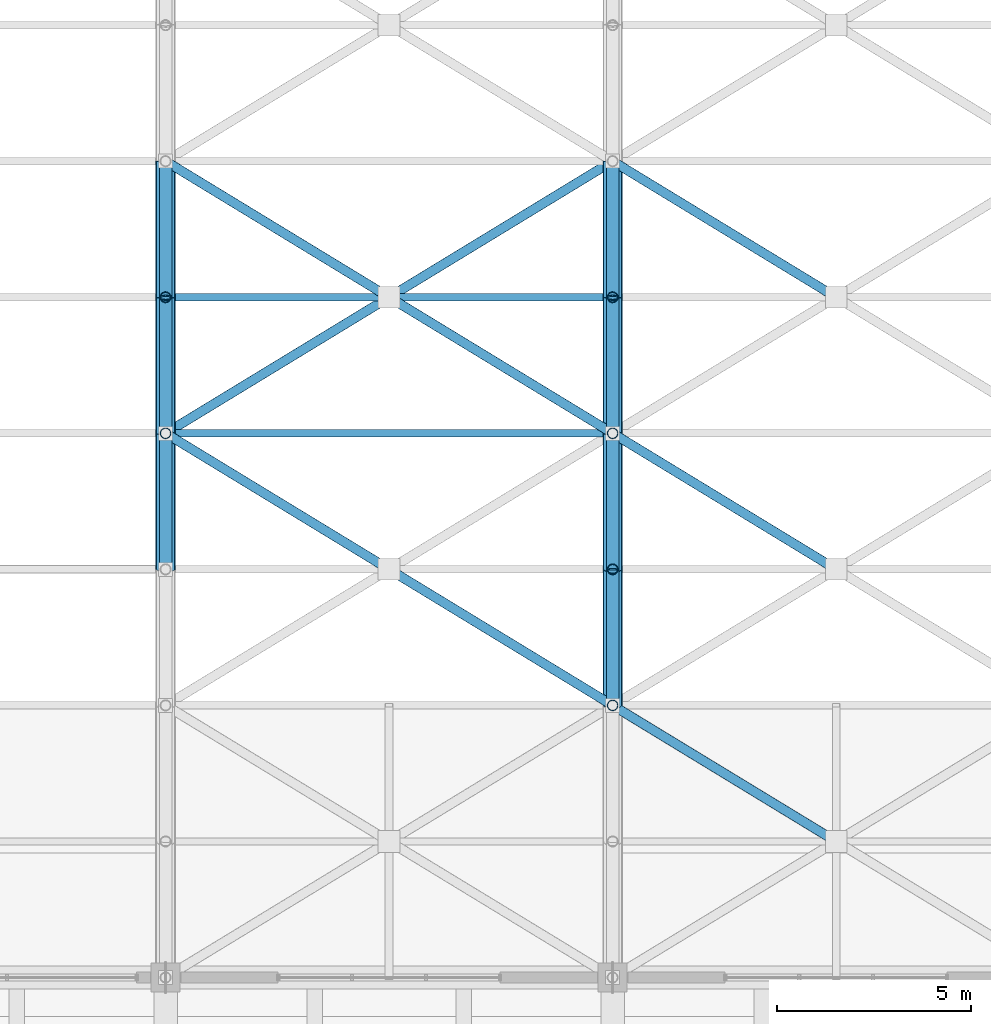
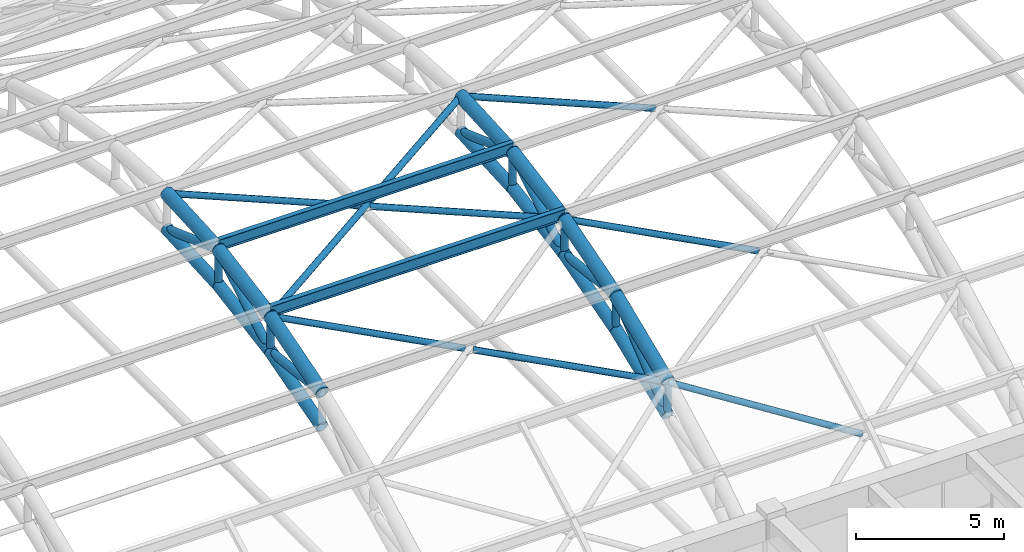
# One storey, part 50 of 154: 37 members.
"""IFC4 building model written with IfcOpenShell, lengths in metres."""

from ifc_helpers import new_model, si_unit, direction, frame, origin, origin_2d, place, context, subcontext, project, spatial, hollow_circle, i_section, extrude, material, material_profile, profile_set, type_object, element, save


model = new_model("IFC4")

# Units and contexts
model_context = context("Model", 3, precision=1e-05, world=origin(), true_north=direction((0.0, 1.0)))
body_context = subcontext(model_context, "Body", "Model", "MODEL_VIEW")
ifc_project = project(units=[si_unit("LENGTHUNIT", "METRE"), si_unit("AREAUNIT", "SQUARE_METRE"), si_unit("VOLUMEUNIT", "CUBIC_METRE"), si_unit("PLANEANGLEUNIT", "RADIAN"), si_unit("MASSUNIT", "GRAM", prefix="KILO")], contexts=[model_context])

# Site, building, storey
site_placement = place(None, origin())
site = spatial("IfcSite", under=ifc_project, at=site_placement, CompositionType="ELEMENT")
building_placement = place(site_placement, origin())
building = spatial("IfcBuilding", under=site, at=building_placement, Name="Ologun Quay Terminus", CompositionType="ELEMENT")
storey_placement = place(building_placement, frame((0.0, 0.0, 13.800048828125)))
storey = spatial("IfcBuildingStorey", under=building, at=storey_placement, Name="L03", CompositionType="ELEMENT", Elevation=13.800048828125)

# Members
ifc_material_1 = material(Name="Steel S355", Category="steel")
ifc_material_profile_1 = material_profile(ifc_material_1, hollow_circle(Radius=0.136474609375, WallThickness=0.010009765625, at=origin_2d()), Name="CHS 273x10")
ifc_profile_set_1 = profile_set([ifc_material_profile_1], Name="Steel S355")
member_type_1 = type_object("IfcMemberType", Name="Arch Truss Vertical Post CHS273", PredefinedType="STRUT", material=ifc_profile_set_1)
member_1_placement = place(storey_placement, frame((80.5, 50.0, 6.435546875), z_axis=(0.0, 0.0, 1.0), x_axis=(1.0, 0.0, 0.0)))
element("IfcMember", 1, at=member_1_placement, inside=storey, type_object=member_type_1, Name="AW2 Arch Web Post 8-N4", PredefinedType="STRUT", context=body_context, shape_type="SweptSolid", body=[
    extrude(hollow_circle(Radius=0.136474609375, WallThickness=0.010009765625, at=origin_2d()), origin(), (0.0, 0.0, 1.0), 1.44873046875),
])
member_2_placement = place(storey_placement, frame((80.5, 53.5, 7.038818359375), z_axis=(0.0, 0.0, 1.0), x_axis=(1.0, 0.0, 0.0)))
element("IfcMember", 2, at=member_2_placement, inside=storey, type_object=member_type_1, Name="AW2 Arch Web Post 8-N5", PredefinedType="STRUT", context=body_context, shape_type="SweptSolid", body=[
    extrude(hollow_circle(Radius=0.136474609375, WallThickness=0.010009765625, at=origin_2d()), origin(), (0.0, 0.0, 1.0), 1.47216796875),
])
member_3_placement = place(storey_placement, frame((92.0, 43.0, 4.022216796875), z_axis=(0.0, 0.0, 1.0), x_axis=(1.0, 0.0, 0.0)))
element("IfcMember", 3, at=member_3_placement, inside=storey, type_object=member_type_1, Name="AW2 Arch Web Post 9-N2", PredefinedType="STRUT", context=body_context, shape_type="SweptSolid", body=[
    extrude(hollow_circle(Radius=0.136474609375, WallThickness=0.010009765625, at=origin_2d()), origin(), (0.0, 0.0, 1.0), 1.35546875),
])
member_4_placement = place(storey_placement, frame((92.0, 46.5, 5.429931640625), z_axis=(0.0, 0.0, 1.0), x_axis=(1.0, 0.0, 0.0)))
element("IfcMember", 4, at=member_4_placement, inside=storey, type_object=member_type_1, Name="AW2 Arch Web Post 9-N3", PredefinedType="STRUT", context=body_context, shape_type="SweptSolid", body=[
    extrude(hollow_circle(Radius=0.136474609375, WallThickness=0.010009765625, at=origin_2d()), origin(), (0.0, 0.0, 1.0), 1.409912109375),
])
member_5_placement = place(storey_placement, frame((92.0, 50.0, 6.435546875), z_axis=(0.0, 0.0, 1.0), x_axis=(1.0, 0.0, 0.0)))
element("IfcMember", 5, at=member_5_placement, inside=storey, type_object=member_type_1, Name="AW2 Arch Web Post 9-N4", PredefinedType="STRUT", context=body_context, shape_type="SweptSolid", body=[
    extrude(hollow_circle(Radius=0.136474609375, WallThickness=0.010009765625, at=origin_2d()), origin(), (0.0, 0.0, 1.0), 1.44873046875),
])
member_6_placement = place(storey_placement, frame((92.0, 53.5, 7.038818359375), z_axis=(0.0, 0.0, 1.0), x_axis=(1.0, 0.0, 0.0)))
element("IfcMember", 6, at=member_6_placement, inside=storey, type_object=member_type_1, Name="AW2 Arch Web Post 9-N5", PredefinedType="STRUT", context=body_context, shape_type="SweptSolid", body=[
    extrude(hollow_circle(Radius=0.136474609375, WallThickness=0.010009765625, at=origin_2d()), origin(), (0.0, 0.0, 1.0), 1.47216796875),
])
ifc_material_2 = material(Name="Steel S355", Category="steel")
ifc_material_profile_2 = material_profile(ifc_material_2, hollow_circle(Radius=0.161865234375, WallThickness=0.010009765625, at=origin_2d()), Name="CHS 323.9x10")
ifc_profile_set_2 = profile_set([ifc_material_profile_2], Name="Steel S355")
member_type_2 = type_object("IfcMemberType", Name="Arch Truss Web Diagonal CHS323", PredefinedType="BRACE", material=ifc_profile_set_2)
member_7_placement = place(storey_placement, frame((80.5, 46.5, 6.83984375), z_axis=(0.0, 0.993394361, -0.114750353084), x_axis=(-1.0, 0.0, 0.0)))
element("IfcMember", 7, at=member_7_placement, inside=storey, type_object=member_type_2, Name="AW1 Arch Web Diagonal 8-P4", PredefinedType="BRACE", context=body_context, shape_type="SweptSolid", body=[
    extrude(hollow_circle(Radius=0.161865234375, WallThickness=0.010009765625, at=origin_2d()), origin(), (0.0, 0.0, 1.0), 3.523193359375),
])
member_8_placement = place(storey_placement, frame((80.5, 50.0, 6.435546875), z_axis=(0.0, 0.860144332958, 0.510050709715), x_axis=(-1.0, 0.0, 0.0)))
element("IfcMember", 8, at=member_8_placement, inside=storey, type_object=member_type_2, Name="AW1 Arch Web Diagonal 8-P5", PredefinedType="BRACE", context=body_context, shape_type="SweptSolid", body=[
    extrude(hollow_circle(Radius=0.161865234375, WallThickness=0.010009765625, at=origin_2d()), origin(), (0.0, 0.0, 1.0), 4.069091796875),
])
member_9_placement = place(storey_placement, frame((80.5, 53.5, 8.510986328125), z_axis=(0.0, 0.939942650142, -0.34133241048), x_axis=(-1.0, 0.0, 0.0)))
element("IfcMember", 9, at=member_9_placement, inside=storey, type_object=member_type_2, Name="AW1 Arch Web Diagonal 8-P6", PredefinedType="BRACE", context=body_context, shape_type="SweptSolid", body=[
    extrude(hollow_circle(Radius=0.161865234375, WallThickness=0.010009765625, at=origin_2d()), origin(), (0.0, 0.0, 1.0), 3.7236328125),
])
member_10_placement = place(storey_placement, frame((92.0, 43.0, 4.022216796875), z_axis=(0.0, 0.77895148125, 0.627084196785), x_axis=(-1.0, 0.0, 0.0)))
element("IfcMember", 10, at=member_10_placement, inside=storey, type_object=member_type_2, Name="AW1 Arch Web Diagonal 9-P3", PredefinedType="BRACE", context=body_context, shape_type="SweptSolid", body=[
    extrude(hollow_circle(Radius=0.161865234375, WallThickness=0.010009765625, at=origin_2d()), origin(), (0.0, 0.0, 1.0), 4.4931640625),
])
member_11_placement = place(storey_placement, frame((92.0, 46.5, 6.83984375), z_axis=(0.0, 0.993394361, -0.114750353084), x_axis=(-1.0, 0.0, 0.0)))
element("IfcMember", 11, at=member_11_placement, inside=storey, type_object=member_type_2, Name="AW1 Arch Web Diagonal 9-P4", PredefinedType="BRACE", context=body_context, shape_type="SweptSolid", body=[
    extrude(hollow_circle(Radius=0.161865234375, WallThickness=0.010009765625, at=origin_2d()), origin(), (0.0, 0.0, 1.0), 3.523193359375),
])
member_12_placement = place(storey_placement, frame((92.0, 50.0, 6.435546875), z_axis=(0.0, 0.860144332958, 0.510050709715), x_axis=(-1.0, 0.0, 0.0)))
element("IfcMember", 12, at=member_12_placement, inside=storey, type_object=member_type_2, Name="AW1 Arch Web Diagonal 9-P5", PredefinedType="BRACE", context=body_context, shape_type="SweptSolid", body=[
    extrude(hollow_circle(Radius=0.161865234375, WallThickness=0.010009765625, at=origin_2d()), origin(), (0.0, 0.0, 1.0), 4.069091796875),
])
member_13_placement = place(storey_placement, frame((92.0, 53.5, 8.510986328125), z_axis=(0.0, 0.939942650142, -0.34133241048), x_axis=(-1.0, 0.0, 0.0)))
element("IfcMember", 13, at=member_13_placement, inside=storey, type_object=member_type_2, Name="AW1 Arch Web Diagonal 9-P6", PredefinedType="BRACE", context=body_context, shape_type="SweptSolid", body=[
    extrude(hollow_circle(Radius=0.161865234375, WallThickness=0.010009765625, at=origin_2d()), origin(), (0.0, 0.0, 1.0), 3.7236328125),
])
ifc_material_3 = material(Name="Steel S355", Category="steel")
ifc_material_profile_3 = material_profile(ifc_material_3, hollow_circle(Radius=0.228515625, WallThickness=0.01611328125, at=origin_2d()), Name="CHS 457x16")
ifc_profile_set_3 = profile_set([ifc_material_profile_3], Name="Steel S355")
member_type_3 = type_object("IfcMemberType", Name="Parabolic Arch Bottom Chord CHS457", PredefinedType="CHORD", material=ifc_profile_set_3)
member_14_placement = place(storey_placement, frame((80.5, 46.5, 5.429931640625), z_axis=(0.0, 0.961115578425, 0.276146419331), x_axis=(-1.0, 0.0, 0.0)))
element("IfcMember", 14, at=member_14_placement, inside=storey, type_object=member_type_3, Name="AC2 Arch Bottom Chord 8-P4", PredefinedType="CHORD", context=body_context, shape_type="SweptSolid", body=[
    extrude(hollow_circle(Radius=0.228515625, WallThickness=0.01611328125, at=origin_2d()), origin(), (0.0, 0.0, 1.0), 3.6416015625),
])
member_15_placement = place(storey_placement, frame((80.5, 50.0, 6.435546875), z_axis=(0.0, 0.985468449185, 0.16985857547), x_axis=(-1.0, 0.0, 0.0)))
element("IfcMember", 15, at=member_15_placement, inside=storey, type_object=member_type_3, Name="AC2 Arch Bottom Chord 8-P5", PredefinedType="CHORD", context=body_context, shape_type="SweptSolid", body=[
    extrude(hollow_circle(Radius=0.228515625, WallThickness=0.01611328125, at=origin_2d()), origin(), (0.0, 0.0, 1.0), 3.551513671875),
])
member_16_placement = place(storey_placement, frame((80.5, 53.5, 7.038818359375), z_axis=(0.0, 0.998352239869, 0.057382969144), x_axis=(-1.0, 0.0, 0.0)))
element("IfcMember", 16, at=member_16_placement, inside=storey, type_object=member_type_3, Name="AC2 Arch Bottom Chord 8-P6", PredefinedType="CHORD", context=body_context, shape_type="SweptSolid", body=[
    extrude(hollow_circle(Radius=0.228515625, WallThickness=0.01611328125, at=origin_2d()), origin(), (0.0, 0.0, 1.0), 3.505859375),
])
member_17_placement = place(storey_placement, frame((92.0, 43.0, 4.022216796875), z_axis=(0.0, 0.92776983497, 0.373152962363), x_axis=(-1.0, 0.0, 0.0)))
element("IfcMember", 17, at=member_17_placement, inside=storey, type_object=member_type_3, Name="AC2 Arch Bottom Chord 9-P3", PredefinedType="CHORD", context=body_context, shape_type="SweptSolid", body=[
    extrude(hollow_circle(Radius=0.228515625, WallThickness=0.01611328125, at=origin_2d()), origin(), (0.0, 0.0, 1.0), 3.7724609375),
])
member_18_placement = place(storey_placement, frame((92.0, 46.5, 5.429931640625), z_axis=(0.0, 0.961115578425, 0.276146419331), x_axis=(-1.0, 0.0, 0.0)))
element("IfcMember", 18, at=member_18_placement, inside=storey, type_object=member_type_3, Name="AC2 Arch Bottom Chord 9-P4", PredefinedType="CHORD", context=body_context, shape_type="SweptSolid", body=[
    extrude(hollow_circle(Radius=0.228515625, WallThickness=0.01611328125, at=origin_2d()), origin(), (0.0, 0.0, 1.0), 3.6416015625),
])
member_19_placement = place(storey_placement, frame((92.0, 50.0, 6.435546875), z_axis=(0.0, 0.985468449185, 0.16985857547), x_axis=(-1.0, 0.0, 0.0)))
element("IfcMember", 19, at=member_19_placement, inside=storey, type_object=member_type_3, Name="AC2 Arch Bottom Chord 9-P5", PredefinedType="CHORD", context=body_context, shape_type="SweptSolid", body=[
    extrude(hollow_circle(Radius=0.228515625, WallThickness=0.01611328125, at=origin_2d()), origin(), (0.0, 0.0, 1.0), 3.551513671875),
])
member_20_placement = place(storey_placement, frame((92.0, 53.5, 7.038818359375), z_axis=(0.0, 0.998352239869, 0.057382969144), x_axis=(-1.0, 0.0, 0.0)))
element("IfcMember", 20, at=member_20_placement, inside=storey, type_object=member_type_3, Name="AC2 Arch Bottom Chord 9-P6", PredefinedType="CHORD", context=body_context, shape_type="SweptSolid", body=[
    extrude(hollow_circle(Radius=0.228515625, WallThickness=0.01611328125, at=origin_2d()), origin(), (0.0, 0.0, 1.0), 3.505859375),
])
ifc_material_4 = material(Name="Steel S355", Category="steel")
ifc_material_profile_4 = material_profile(ifc_material_4, hollow_circle(Radius=0.25390625, WallThickness=0.01611328125, at=origin_2d()), Name="CHS 508x16")
ifc_profile_set_4 = profile_set([ifc_material_profile_4], Name="Steel S355")
member_type_4 = type_object("IfcMemberType", Name="Parabolic Arch Top Chord CHS508", PredefinedType="CHORD", material=ifc_profile_set_4)
member_21_placement = place(storey_placement, frame((80.5, 46.5, 6.83984375), z_axis=(0.0, 0.958244712677, 0.285949419701), x_axis=(-1.0, 0.0, 0.0)))
element("IfcMember", 21, at=member_21_placement, inside=storey, type_object=member_type_4, Name="Arch Top Chord 8-P4", PredefinedType="CHORD", context=body_context, shape_type="SweptSolid", body=[
    extrude(hollow_circle(Radius=0.25390625, WallThickness=0.01611328125, at=origin_2d()), origin(), (0.0, 0.0, 1.0), 3.652587890625),
])
member_22_placement = place(storey_placement, frame((80.5, 50.0, 7.88427734375), z_axis=(0.0, 0.984344289591, 0.176256402859), x_axis=(-1.0, 0.0, 0.0)))
element("IfcMember", 22, at=member_22_placement, inside=storey, type_object=member_type_4, Name="Arch Top Chord 8-P5", PredefinedType="CHORD", context=body_context, shape_type="SweptSolid", body=[
    extrude(hollow_circle(Radius=0.25390625, WallThickness=0.01611328125, at=origin_2d()), origin(), (0.0, 0.0, 1.0), 3.5556640625),
])
member_23_placement = place(storey_placement, frame((80.5, 53.5, 8.510986328125), z_axis=(0.0, 0.998222121157, 0.0596036646), x_axis=(-1.0, 0.0, 0.0)))
element("IfcMember", 23, at=member_23_placement, inside=storey, type_object=member_type_4, Name="Arch Top Chord 8-P6", PredefinedType="CHORD", context=body_context, shape_type="SweptSolid", body=[
    extrude(hollow_circle(Radius=0.25390625, WallThickness=0.01611328125, at=origin_2d()), origin(), (0.0, 0.0, 1.0), 3.50634765625),
])
member_24_placement = place(storey_placement, frame((92.0, 43.0, 5.377685546875), z_axis=(0.0, 0.922718523726, 0.385474416755), x_axis=(-1.0, 0.0, 0.0)))
element("IfcMember", 24, at=member_24_placement, inside=storey, type_object=member_type_4, Name="Arch Top Chord 9-P3", PredefinedType="CHORD", context=body_context, shape_type="SweptSolid", body=[
    extrude(hollow_circle(Radius=0.25390625, WallThickness=0.01611328125, at=origin_2d()), origin(), (0.0, 0.0, 1.0), 3.793212890625),
])
member_25_placement = place(storey_placement, frame((92.0, 46.5, 6.83984375), z_axis=(0.0, 0.958244712677, 0.285949419701), x_axis=(-1.0, 0.0, 0.0)))
element("IfcMember", 25, at=member_25_placement, inside=storey, type_object=member_type_4, Name="Arch Top Chord 9-P4", PredefinedType="CHORD", context=body_context, shape_type="SweptSolid", body=[
    extrude(hollow_circle(Radius=0.25390625, WallThickness=0.01611328125, at=origin_2d()), origin(), (0.0, 0.0, 1.0), 3.652587890625),
])
member_26_placement = place(storey_placement, frame((92.0, 50.0, 7.88427734375), z_axis=(0.0, 0.984344289591, 0.176256402859), x_axis=(-1.0, 0.0, 0.0)))
element("IfcMember", 26, at=member_26_placement, inside=storey, type_object=member_type_4, Name="Arch Top Chord 9-P5", PredefinedType="CHORD", context=body_context, shape_type="SweptSolid", body=[
    extrude(hollow_circle(Radius=0.25390625, WallThickness=0.01611328125, at=origin_2d()), origin(), (0.0, 0.0, 1.0), 3.5556640625),
])
member_27_placement = place(storey_placement, frame((92.0, 53.5, 8.510986328125), z_axis=(0.0, 0.998222121157, 0.0596036646), x_axis=(-1.0, 0.0, 0.0)))
element("IfcMember", 27, at=member_27_placement, inside=storey, type_object=member_type_4, Name="Arch Top Chord 9-P6", PredefinedType="CHORD", context=body_context, shape_type="SweptSolid", body=[
    extrude(hollow_circle(Radius=0.25390625, WallThickness=0.01611328125, at=origin_2d()), origin(), (0.0, 0.0, 1.0), 3.50634765625),
])
ifc_material_5 = material(Name="Steel S355", Category="steel")
ifc_material_profile_5 = material_profile(ifc_material_5, hollow_circle(Radius=0.122314453125, WallThickness=0.008056640625, at=origin_2d()), Name="CHS 244.5x8")
ifc_profile_set_5 = profile_set([ifc_material_profile_5], Name="Steel S355")
member_type_5 = type_object("IfcMemberType", Name="Roof Plan Wind Brace Primary CHS244", PredefinedType="BRACE", material=ifc_profile_set_5)
for number, where, z_axis, x_axis, name in (
    (28, (80.5, 50.0, 7.88427734375), (0.839763706767, -0.511174760907, -0.183022623217), (0.519957518446, 0.854192120668, 0.0), "Roof Wind Brace B1 B8-K2"),
    (29, (86.36767578125, 46.428466796875, 6.60546875), (0.839758111636, -0.51117135508, -0.183057804223), (0.519957518446, 0.854192120668, 0.0), "Roof Wind Brace B2 B8-K2"),
):
    element("IfcMember", number, at=place(storey_placement, frame(where, z_axis=z_axis, x_axis=x_axis)), inside=storey, type_object=member_type_5, Name=name, PredefinedType="BRACE", context=body_context, shape_type="SweptSolid", body=[
        extrude(hollow_circle(Radius=0.122314453125, WallThickness=0.008056640625, at=origin_2d()), origin(), (0.0, 0.0, 1.0), 6.70703125),
    ])
member_28_placement = place(storey_placement, frame((80.5, 50.0, 7.88427734375), z_axis=(0.852557618704, 0.518948115733, 0.061954499168), x_axis=(-0.519946946896, 0.854198555614, 0.0)))
element("IfcMember", 30, at=member_28_placement, inside=storey, type_object=member_type_5, Name="Roof Wind Brace A B8-K4", PredefinedType="BRACE", context=body_context, shape_type="SweptSolid", body=[
    extrude(hollow_circle(Radius=0.122314453125, WallThickness=0.008056640625, at=origin_2d()), origin(), (0.0, 0.0, 1.0), 13.48876953125),
])
for number, where, z_axis, x_axis, name in (
    (31, (80.5, 57.0, 8.719970703125), (0.852563238847, -0.518938678703, -0.061956206405), (0.51993754691, 0.854204277274, 0.0), "Roof Wind Brace B1 B8-K4"),
    (32, (86.369384765625, 53.42724609375, 8.29345703125), (0.852563238847, -0.518938678703, -0.061956206405), (0.51993754691, 0.854204277274, 0.0), "Roof Wind Brace B2 B8-K4"),
):
    element("IfcMember", number, at=place(storey_placement, frame(where, z_axis=z_axis, x_axis=x_axis)), inside=storey, type_object=member_type_5, Name=name, PredefinedType="BRACE", context=body_context, shape_type="SweptSolid", body=[
        extrude(hollow_circle(Radius=0.122314453125, WallThickness=0.008056640625, at=origin_2d()), origin(), (0.0, 0.0, 1.0), 6.604248046875),
    ])
member_29_placement = place(storey_placement, frame((92.0, 43.0, 5.377685546875), z_axis=(0.815823185614, -0.496583416265, -0.29637381886), x_axis=(0.51994342513, 0.854200699288, 0.0)))
element("IfcMember", 33, at=member_29_placement, inside=storey, type_object=member_type_5, Name="Roof Wind Brace B1 B9-K0", PredefinedType="BRACE", context=body_context, shape_type="SweptSolid", body=[
    extrude(hollow_circle(Radius=0.122314453125, WallThickness=0.008056640625, at=origin_2d()), origin(), (0.0, 0.0, 1.0), 6.907958984375),
])
member_30_placement = place(storey_placement, frame((92.0, 50.0, 7.88427734375), z_axis=(0.839763706767, -0.511174760907, -0.183022623217), x_axis=(0.519957518446, 0.854192120668, 0.0)))
element("IfcMember", 34, at=member_30_placement, inside=storey, type_object=member_type_5, Name="Roof Wind Brace B1 B9-K2", PredefinedType="BRACE", context=body_context, shape_type="SweptSolid", body=[
    extrude(hollow_circle(Radius=0.122314453125, WallThickness=0.008056640625, at=origin_2d()), origin(), (0.0, 0.0, 1.0), 6.70703125),
])
member_31_placement = place(storey_placement, frame((92.0, 57.0, 8.719970703125), z_axis=(0.852563238847, -0.518938678703, -0.061956206405), x_axis=(0.51993754691, 0.854204277274, 0.0)))
element("IfcMember", 35, at=member_31_placement, inside=storey, type_object=member_type_5, Name="Roof Wind Brace B1 B9-K4", PredefinedType="BRACE", context=body_context, shape_type="SweptSolid", body=[
    extrude(hollow_circle(Radius=0.122314453125, WallThickness=0.008056640625, at=origin_2d()), origin(), (0.0, 0.0, 1.0), 6.604248046875),
])
ifc_material_6 = material(Name="Steel S355", Category="steel")
ifc_material_profile_6 = material_profile(ifc_material_6, i_section(OverallWidth=0.1904296875, OverallDepth=0.45703125, WebThickness=0.009033203125, FlangeThickness=0.014404296875, at=origin_2d()), Name="UKB 457x191x74")
ifc_profile_set_6 = profile_set([ifc_material_profile_6], Name="Steel S355")
member_type_6 = type_object("IfcMemberType", Name="Train Shed Primary Roof Purlin UKB457", PredefinedType="PURLIN", material=ifc_profile_set_6)
for number, where, z_axis, x_axis, name in (
    (36, (80.5, 50.0, 8.11279296875), (1.0, 0.0, 0.0), (0.0, 1.0, 0.0), "PR1 Roof Purlin B8-N4"),
    (37, (80.5, 53.5, 8.739501953125), (1.0, 0.0, 0.0), (0.0, 1.0, 0.0), "PR1 Roof Purlin B8-N5"),
):
    element("IfcMember", number, at=place(storey_placement, frame(where, z_axis=z_axis, x_axis=x_axis)), inside=storey, type_object=member_type_6, Name=name, PredefinedType="PURLIN", context=body_context, shape_type="SweptSolid", body=[
        extrude(i_section(OverallWidth=0.1904296875, OverallDepth=0.45703125, WebThickness=0.009033203125, FlangeThickness=0.014404296875, at=origin_2d()), origin(), (0.0, 0.0, 1.0), 11.5),
    ])

save(model, "model.ifc")
